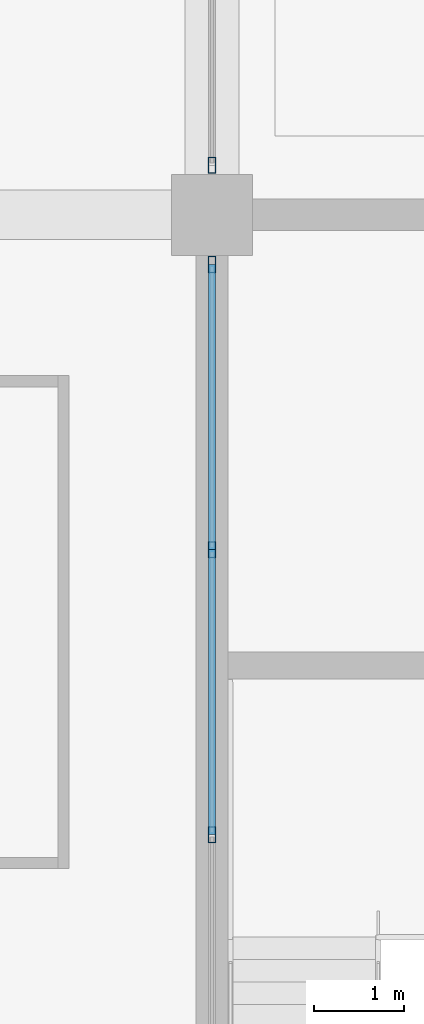
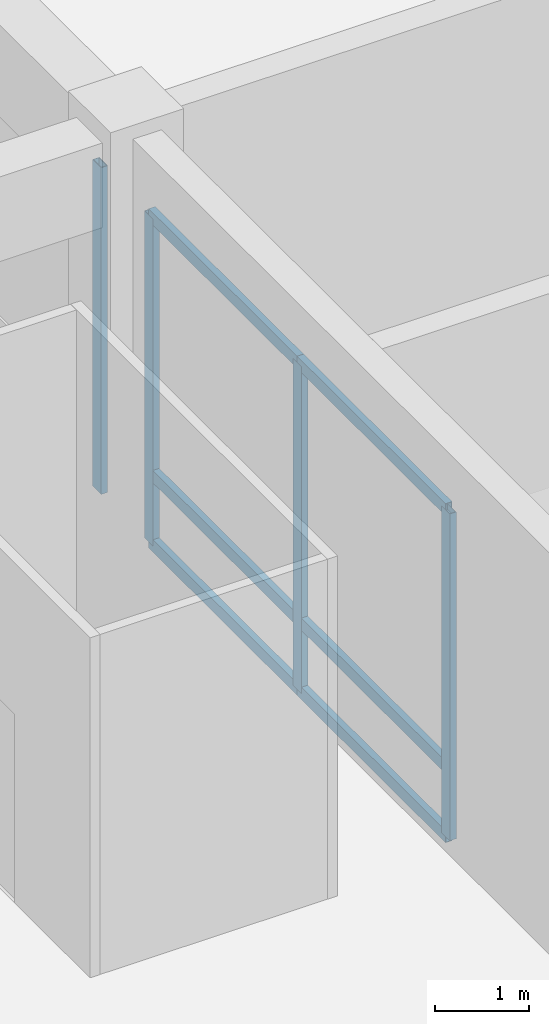
# One storey, part 14 of 90: 10 members, 2 elements without a shape of their own.
"""IFC4 building model written with IfcOpenShell, lengths in metres."""

from ifc_helpers import new_model, si_unit, direction, frame, origin, origin_2d, place, context, subcontext, project, spatial, hollow_rectangle, extrude, material, material_profile, profile_set, type_object, element, aggregate, save


model = new_model("IFC4")

# Units and contexts
model_context = context("Model", 3, precision=1e-05, world=origin(), true_north=direction((0.0, 1.0)))
body_context = subcontext(model_context, "Body", "Model", "MODEL_VIEW")
ifc_project = project(units=[si_unit("LENGTHUNIT", "METRE"), si_unit("AREAUNIT", "SQUARE_METRE"), si_unit("VOLUMEUNIT", "CUBIC_METRE"), si_unit("PLANEANGLEUNIT", "RADIAN"), si_unit("MASSUNIT", "GRAM", prefix="KILO")], contexts=[model_context])

# Site, building, storey
site_placement = place(None, origin())
site = spatial("IfcSite", under=ifc_project, at=site_placement, CompositionType="ELEMENT")
building_placement = place(site_placement, origin())
building = spatial("IfcBuilding", under=site, at=building_placement, Name="Linyun Crest Stadium", CompositionType="ELEMENT")
storey_placement = place(building_placement, frame((0.0, 0.0, 21.0)))
storey = spatial("IfcBuildingStorey", under=building, at=storey_placement, Name="L05", CompositionType="ELEMENT", Elevation=21.0)

# Curtain wall, members
ifc_material_1 = material(Name="Verdigris steel and low-E curtain wall assembly", Category="steel")
curtain_wall_type = type_object("IfcCurtainWallType", Name="MCW01", PredefinedType="NOTDEFINED", material=ifc_material_1)
curtain_wall_1_placement = place(storey_placement, origin())
curtain_wall_1 = element("IfcCurtainWall", 1, at=curtain_wall_1_placement, inside=storey, type_object=curtain_wall_type, Name="CWR-076", PredefinedType="NOTDEFINED")
ifc_material_2 = material(Name="Verdigris painted steel Q355B mullion", Category="steel")
ifc_material_profile_1 = material_profile(ifc_material_2, hollow_rectangle(XDim=0.080078125, YDim=0.179931640625, WallThickness=0.006103515625, at=origin_2d()), Name="RHS 180x80x6")
ifc_profile_set_1 = profile_set([ifc_material_profile_1], Name="Verdigris painted steel Q355B mullion")
member_type_1 = type_object("IfcMemberType", Name="ML02", PredefinedType="MULLION", material=ifc_profile_set_1)
member_1_placement = place(storey_placement, frame((-84.0, -32.25, 0.0), z_axis=(0.0, 0.0, 1.0), x_axis=(-1.0, 0.0, 0.0)))
member_1 = element("IfcMember", 2, at=member_1_placement, type_object=member_type_1, Name="CWR-076 mullion 3", PredefinedType="MULLION", context=body_context, shape_type="SweptSolid", body=[
    extrude(hollow_rectangle(XDim=0.080078125, YDim=0.179931640625, WallThickness=0.006103515625, at=origin_2d()), origin(), (0.0, 0.0, 1.0), 4.25),
])
member_2_placement = place(storey_placement, frame((-84.0, -29.087890625, 0.0), z_axis=(0.0, 0.0, 1.0), x_axis=(-1.0, 0.0, 0.0)))
member_2 = element("IfcMember", 3, at=member_2_placement, type_object=member_type_1, Name="CWR-076 mullion 4", PredefinedType="MULLION", context=body_context, shape_type="SweptSolid", body=[
    extrude(hollow_rectangle(XDim=0.080078125, YDim=0.179931640625, WallThickness=0.006103515625, at=origin_2d()), origin(), (0.0, 0.0, 1.0), 4.25),
])
member_3_placement = place(storey_placement, frame((-84.0, -25.925048828125, 0.0), z_axis=(0.0, 0.0, 1.0), x_axis=(-1.0, 0.0, 0.0)))
member_3 = element("IfcMember", 4, at=member_3_placement, type_object=member_type_1, Name="CWR-076 mullion 5", PredefinedType="MULLION", context=body_context, shape_type="SweptSolid", body=[
    extrude(hollow_rectangle(XDim=0.080078125, YDim=0.179931640625, WallThickness=0.006103515625, at=origin_2d()), origin(), (0.0, 0.0, 1.0), 4.25),
])

# Curtain wall, member
curtain_wall_2_placement = place(storey_placement, origin())
curtain_wall_2 = element("IfcCurtainWall", 5, at=curtain_wall_2_placement, inside=storey, type_object=curtain_wall_type, Name="CWR-085", PredefinedType="NOTDEFINED")
member_4_placement = place(storey_placement, frame((-84.0, -24.824951171875, 0.0), z_axis=(0.0, 0.0, 1.0), x_axis=(-1.0, 0.0, 0.0)))
member_4 = element("IfcMember", 6, at=member_4_placement, type_object=member_type_1, Name="CWR-085 mullion 1", PredefinedType="MULLION", context=body_context, shape_type="SweptSolid", body=[
    extrude(hollow_rectangle(XDim=0.080078125, YDim=0.179931640625, WallThickness=0.006103515625, at=origin_2d()), origin(), (0.0, 0.0, 1.0), 4.25),
])
aggregate(curtain_wall_2, [member_4])

# Member
ifc_material_3 = material(Name="Aluminium thermally broken transom", Category="aluminium")
ifc_material_profile_2 = material_profile(ifc_material_3, hollow_rectangle(XDim=0.080078125, YDim=0.159912109375, WallThickness=0.006103515625, at=origin_2d()), Name="RHS 160x80x6")
ifc_profile_set_2 = profile_set([ifc_material_profile_2], Name="Aluminium thermally broken transom")
member_type_2 = type_object("IfcMemberType", Name="TR01", PredefinedType="USERDEFINED", material=ifc_profile_set_2)
member_5_placement = place(storey_placement, frame((-84.0, -32.25, 0.0), z_axis=(0.0, 1.0, 0.0), x_axis=(-1.0, 0.0, 0.0)))
member_5 = element("IfcMember", 7, at=member_5_placement, type_object=member_type_2, Name="CWR-076 transom 3.1", ObjectType="TRANSOM", PredefinedType="USERDEFINED", context=body_context, shape_type="SweptSolid", body=[
    extrude(hollow_rectangle(XDim=0.080078125, YDim=0.159912109375, WallThickness=0.006103515625, at=origin_2d()), origin(), (0.0, 0.0, 1.0), 3.162109375),
])

member_6_placement = place(storey_placement, frame((-84.0, -32.25, 0.89990234375), z_axis=(0.0, 1.0, 0.0), x_axis=(-1.0, 0.0, 0.0)))
member_6 = element("IfcMember", 8, at=member_6_placement, type_object=member_type_2, Name="CWR-076 transom 3.2", ObjectType="TRANSOM", PredefinedType="USERDEFINED", context=body_context, shape_type="SweptSolid", body=[
    extrude(hollow_rectangle(XDim=0.080078125, YDim=0.159912109375, WallThickness=0.006103515625, at=origin_2d()), origin(), (0.0, 0.0, 1.0), 3.162109375),
])

member_7_placement = place(storey_placement, frame((-84.0, -32.25, 4.25), z_axis=(0.0, 1.0, 0.0), x_axis=(-1.0, 0.0, 0.0)))
member_7 = element("IfcMember", 9, at=member_7_placement, type_object=member_type_2, Name="CWR-076 transom 3.3", ObjectType="TRANSOM", PredefinedType="USERDEFINED", context=body_context, shape_type="SweptSolid", body=[
    extrude(hollow_rectangle(XDim=0.080078125, YDim=0.159912109375, WallThickness=0.006103515625, at=origin_2d()), origin(), (0.0, 0.0, 1.0), 3.162109375),
])

member_8_placement = place(storey_placement, frame((-84.0, -29.087890625, 0.0), z_axis=(0.0, 1.0, 0.0), x_axis=(-1.0, 0.0, 0.0)))
member_8 = element("IfcMember", 10, at=member_8_placement, type_object=member_type_2, Name="CWR-076 transom 4.1", ObjectType="TRANSOM", PredefinedType="USERDEFINED", context=body_context, shape_type="SweptSolid", body=[
    extrude(hollow_rectangle(XDim=0.080078125, YDim=0.159912109375, WallThickness=0.006103515625, at=origin_2d()), origin(), (0.0, 0.0, 1.0), 3.162841796875),
])

member_9_placement = place(storey_placement, frame((-84.0, -29.087890625, 0.89990234375), z_axis=(0.0, 1.0, 0.0), x_axis=(-1.0, 0.0, 0.0)))
member_9 = element("IfcMember", 11, at=member_9_placement, type_object=member_type_2, Name="CWR-076 transom 4.2", ObjectType="TRANSOM", PredefinedType="USERDEFINED", context=body_context, shape_type="SweptSolid", body=[
    extrude(hollow_rectangle(XDim=0.080078125, YDim=0.159912109375, WallThickness=0.006103515625, at=origin_2d()), origin(), (0.0, 0.0, 1.0), 3.162841796875),
])

member_10_placement = place(storey_placement, frame((-84.0, -29.087890625, 4.25), z_axis=(0.0, 1.0, 0.0), x_axis=(-1.0, 0.0, 0.0)))
member_10 = element("IfcMember", 12, at=member_10_placement, type_object=member_type_2, Name="CWR-076 transom 4.3", ObjectType="TRANSOM", PredefinedType="USERDEFINED", context=body_context, shape_type="SweptSolid", body=[
    extrude(hollow_rectangle(XDim=0.080078125, YDim=0.159912109375, WallThickness=0.006103515625, at=origin_2d()), origin(), (0.0, 0.0, 1.0), 3.162841796875),
])

aggregate(curtain_wall_1, [member_1, member_2, member_3, member_5, member_6, member_7, member_8, member_9, member_10])

save(model, "model.ifc")
